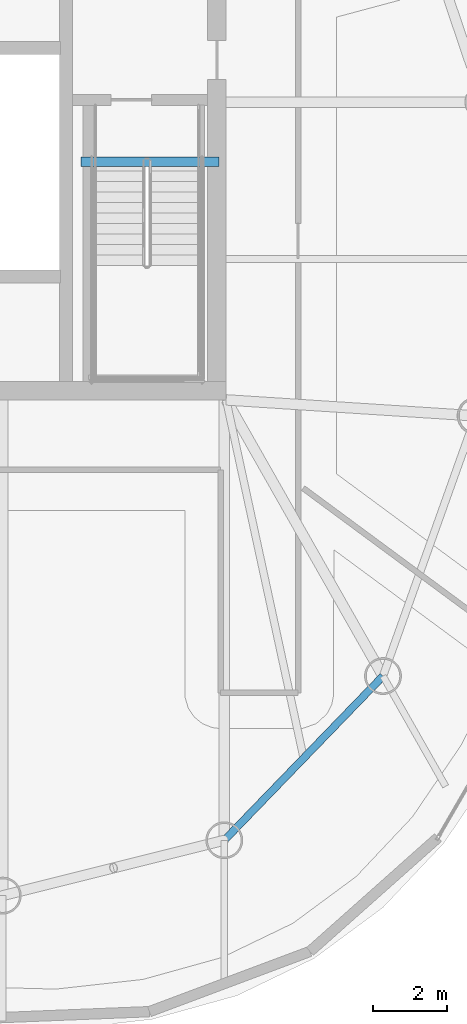
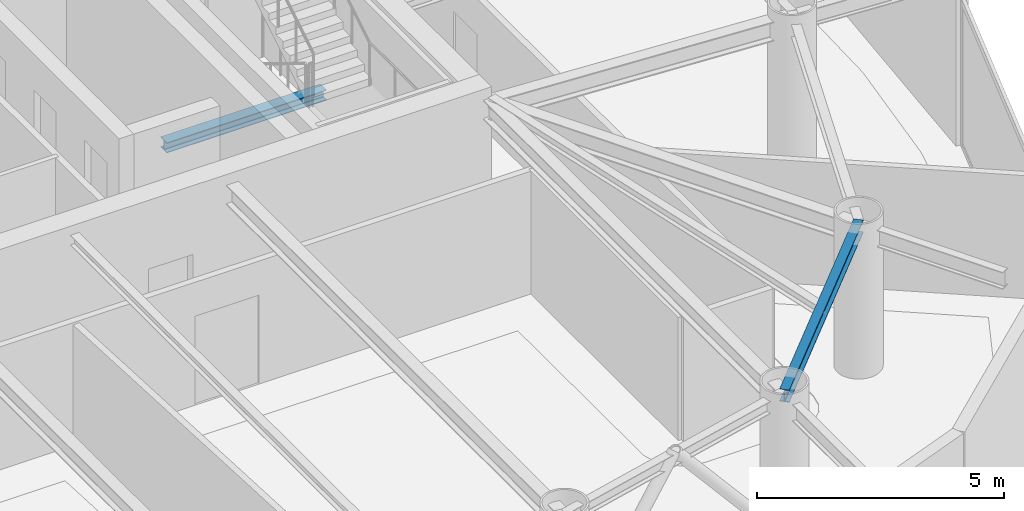
# One storey, part 7 of 20: 2 beams.
"""IFC4 building model written with IfcOpenShell, lengths in metres."""

from ifc_helpers import new_model, si_unit, direction, frame, origin, origin_2d, place, context, subcontext, project, spatial, i_section, extrude, material, material_profile, profile_set, type_object, element, save


model = new_model("IFC4")

# Units and contexts
model_context = context("Model", 3, precision=1e-05, world=origin(), true_north=direction((0.0, 1.0)))
body_context = subcontext(model_context, "Body", "Model", "MODEL_VIEW")
ifc_project = project(units=[si_unit("LENGTHUNIT", "METRE"), si_unit("AREAUNIT", "SQUARE_METRE"), si_unit("VOLUMEUNIT", "CUBIC_METRE"), si_unit("PLANEANGLEUNIT", "RADIAN"), si_unit("MASSUNIT", "GRAM", prefix="KILO")], contexts=[model_context])

# Site, building, storey
site_placement = place(None, origin())
site = spatial("IfcSite", under=ifc_project, at=site_placement, CompositionType="ELEMENT")
building_placement = place(site_placement, origin())
building = spatial("IfcBuilding", under=site, at=building_placement, Name="Bramvorn Convention Spire", CompositionType="ELEMENT")
storey_placement = place(building_placement, frame((0.0, 0.0, 269.0)))
storey = spatial("IfcBuildingStorey", under=building, at=storey_placement, Name="L68", CompositionType="ELEMENT", Elevation=269.0)

# Beams
ifc_material = material(Name="Steel CSA G40.21 Grade 350 (350W)", Category="steel")
ifc_material_profile_1 = material_profile(ifc_material, i_section(OverallWidth=0.25390625, OverallDepth=0.2529296875, WebThickness=0.008544921875, FlangeThickness=0.01416015625, FilletRadius=0.011962890625, at=origin_2d()))
ifc_profile_set_1 = profile_set([ifc_material_profile_1], Name="Steel CSA G40.21 Grade 350 (350W) - W250X73")
beam_type_1 = type_object("IfcBeamType", Name="BM-W250X73", PredefinedType="BEAM", material=ifc_profile_set_1)
beam_1_placement = place(storey_placement, frame((45.31005859375, 25.010009765625, -0.12646484375), z_axis=(1.0, 0.0, 0.0), x_axis=(0.0, 1.0, 0.0)))
element("IfcBeam", 1, at=beam_1_placement, inside=storey, type_object=beam_type_1, Name="L68 ST2 stair arrival header beam", PredefinedType="BEAM", context=body_context, shape_type="SweptSolid", body=[
    extrude(i_section(OverallWidth=0.25390625, OverallDepth=0.2529296875, WebThickness=0.008544921875, FlangeThickness=0.01416015625, FilletRadius=0.011962890625, at=origin_2d()), origin(), (0.0, 0.0, 1.0), 3.739990234375),
])
ifc_material_profile_2 = material_profile(ifc_material, i_section(OverallWidth=0.202880859375, OverallDepth=0.302978515625, WebThickness=0.007568359375, FlangeThickness=0.01318359375, FilletRadius=0.013916015625, at=origin_2d()))
ifc_profile_set_2 = profile_set([ifc_material_profile_2], Name="Steel CSA G40.21 Grade 350 (350W) - W310X60")
beam_type_2 = type_object("IfcBeamType", Name="BM-W310X60", PredefinedType="JOIST", material=ifc_profile_set_2)
beam_2_placement = place(storey_placement, frame((49.199951171875, 6.60107421875, 3.473388671875), z_axis=(0.695007159797, 0.719002814898, 0.0), x_axis=(-0.719002814898, 0.695007159797, 0.0)))
element("IfcBeam", 2, at=beam_2_placement, inside=storey, type_object=beam_type_2, Name="L68 mega-column ring beam 01", PredefinedType="JOIST", context=body_context, shape_type="SweptSolid", body=[
    extrude(i_section(OverallWidth=0.202880859375, OverallDepth=0.302978515625, WebThickness=0.007568359375, FlangeThickness=0.01318359375, FilletRadius=0.013916015625, at=origin_2d()), origin(), (0.0, 0.0, 1.0), 6.1962890625),
])

save(model, "model.ifc")
